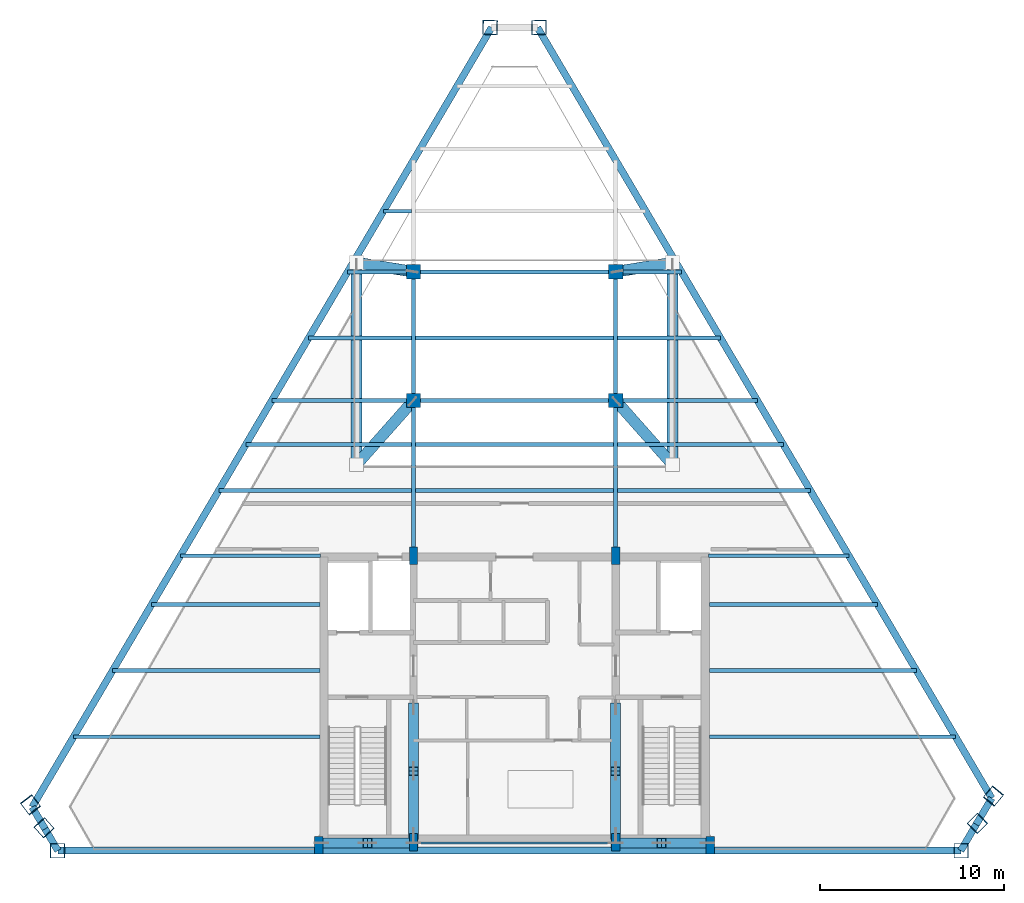
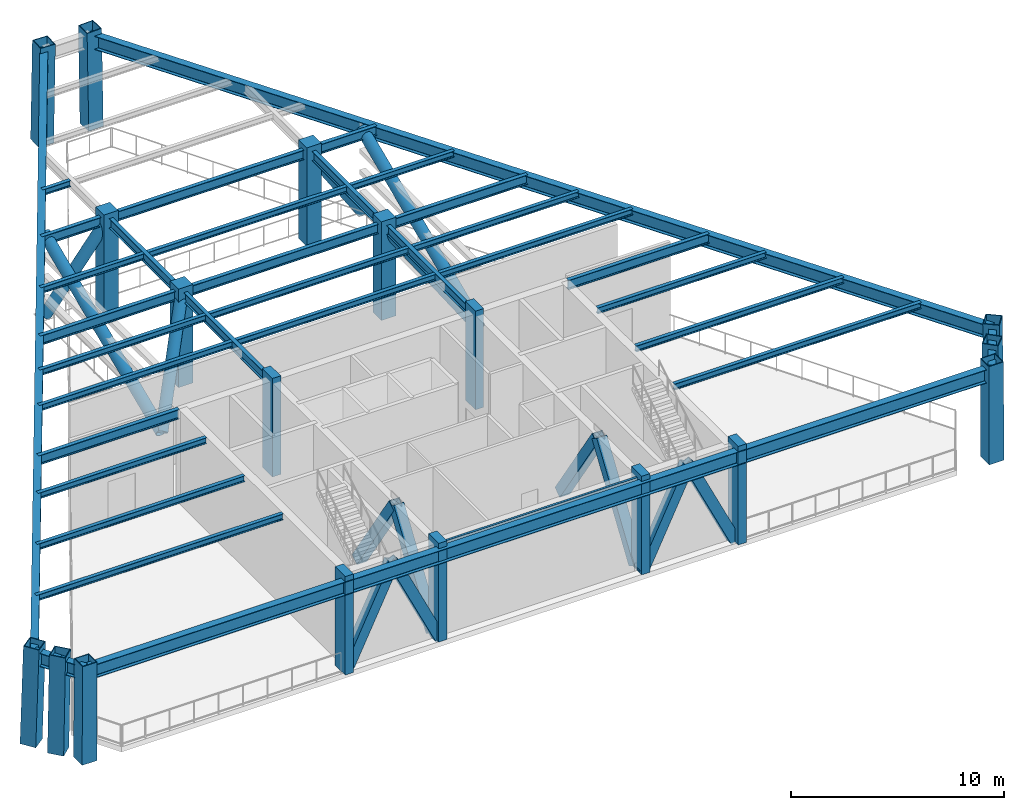
# One storey, part 1 of 6: 36 beams, 18 columns, 14 members.
"""IFC4 building model written with IfcOpenShell, lengths in metres."""

import ifcopenshell
import ifcopenshell.guid

model = None  # the IFC model being written
_history = None  # IfcOwnerHistory: only IFC2X3 demands one
_inside = {}  # id of a spatial element -> (the spatial element, [elements in it])
_under = {}  # id of a project, library or spatial element -> (it, [spatial elements below it])
_declared = {}  # id of a project -> (the project, [libraries it declares])
_typed = {}  # id of a type object -> (the type object, [elements of that type])
_made_of = {}  # id of a material, layer set ... -> (it, [elements and type objects made of it])


def new_model(schema):
    """Start an empty IFC model of exactly this schema.

    Asked for "IFC4X3", IfcOpenShell would pick the latest addendum, in which some entities
    have other attributes; the version numbers below select the first issue.
    IFC2X3 requires an IfcOwnerHistory on every rooted entity: one is made here for all.
    """
    global model, _history
    if schema == "IFC4X3":
        model = ifcopenshell.file(schema_version=(4, 3, 0, 0))
    else:
        model = ifcopenshell.file(schema=schema)
    _inside.clear()
    _under.clear()
    _declared.clear()
    _typed.clear()
    _made_of.clear()
    _history = None
    if model.schema == "IFC2X3":
        org = make("IfcOrganization", Name="unknown")
        user = make(
            "IfcPersonAndOrganization",
            ThePerson=make("IfcPerson", FamilyName="unknown"),
            TheOrganization=org,
        )
        app = make(
            "IfcApplication",
            ApplicationDeveloper=org,
            Version="unknown",
            ApplicationFullName="unknown",
            ApplicationIdentifier="unknown",
        )
        _history = make(
            "IfcOwnerHistory",
            OwningUser=user,
            OwningApplication=app,
            ChangeAction="ADDED",
            CreationDate=0,
        )
    return model


def make(cls, **values):
    """One entity of the class cls with the attributes given. An attribute that is None is left unset."""
    return model.create_entity(
        cls, **{name: value for name, value in values.items() if value is not None}
    )


def rooted(cls, **values):
    """An entity with a GlobalId (a new one), such as an element, a storey or a relation."""
    return make(cls, GlobalId=ifcopenshell.guid.new(), OwnerHistory=_history, **values)


def si_unit(unit_type, name, prefix=None):
    """IfcSIUnit, for example si_unit("LENGTHUNIT", "METRE", prefix="MILLI")."""
    return make("IfcSIUnit", UnitType=unit_type, Prefix=prefix, Name=name)


def assignment(units):
    """IfcUnitAssignment: the units of a project."""
    return None if units is None else make("IfcUnitAssignment", Units=units)


def point(xyz):
    """IfcCartesianPoint."""
    return None if xyz is None else make("IfcCartesianPoint", Coordinates=xyz)


def direction(xyz):
    """IfcDirection."""
    return None if xyz is None else make("IfcDirection", DirectionRatios=xyz)


def frame(location, z_axis=None, x_axis=None):
    """IfcAxis2Placement3D, a coordinate frame: its origin and axes. An axis left out is left unset."""
    return make(
        "IfcAxis2Placement3D",
        Location=point(location),
        Axis=direction(z_axis),
        RefDirection=direction(x_axis),
    )


def frame_2d(location, x_axis=None):
    """IfcAxis2Placement2D, a coordinate frame in the plane: its origin and x axis."""
    return make(
        "IfcAxis2Placement2D", Location=point(location), RefDirection=direction(x_axis)
    )


def origin():
    """The frame at (0, 0, 0) with its axes left unset."""
    return frame((0.0, 0.0, 0.0))


def origin_2d():
    """The frame at (0, 0) in the plane with its x axis left unset."""
    return frame_2d((0.0, 0.0))


def place(relative_to, where):
    """IfcLocalPlacement: puts the frame where relative to a parent placement (None: the world)."""
    return make(
        "IfcLocalPlacement", PlacementRelTo=relative_to, RelativePlacement=where
    )


def context(
    kind, dimensions, precision=None, world=None, true_north=None, identifier=None
):
    """IfcGeometricRepresentationContext, for example the 3D "Model" context."""
    return make(
        "IfcGeometricRepresentationContext",
        ContextIdentifier=identifier,
        ContextType=kind,
        CoordinateSpaceDimension=dimensions,
        Precision=precision,
        WorldCoordinateSystem=world,
        TrueNorth=true_north,
    )


def subcontext(parent, identifier, kind, view, scale=None):
    """IfcGeometricRepresentationSubContext, for example "Body" below "Model"."""
    return make(
        "IfcGeometricRepresentationSubContext",
        ContextIdentifier=identifier,
        ContextType=kind,
        ParentContext=parent,
        TargetScale=scale,
        TargetView=view,
    )


def project(units=None, contexts=None):
    """IfcProject with its units and contexts."""
    return rooted(
        "IfcProject",
        Name="project",
        RepresentationContexts=contexts,
        UnitsInContext=assignment(units),
    )


def spatial(cls, under=None, at=None, **own):
    """A site, building, storey or space (cls), placed at a placement, below another one or the project."""
    s = rooted(cls, ObjectPlacement=at, **own)
    if under is not None:
        _under.setdefault(under.id(), (under, []))[1].append(s)
    return s


def profile(cls, at=None, kind="AREA", **sizes):
    """A parametric profile (cls). Its sizes go by their IFC names, for example OverallWidth=200.0."""
    return make(cls, ProfileType=kind, Position=at, **sizes)


def rectangle(**sizes):
    """IfcRectangleProfileDef."""
    return profile("IfcRectangleProfileDef", **sizes)


def hollow_rectangle(**sizes):
    """IfcRectangleHollowProfileDef."""
    return profile("IfcRectangleHollowProfileDef", **sizes)


def hollow_circle(**sizes):
    """IfcCircleHollowProfileDef."""
    return profile("IfcCircleHollowProfileDef", **sizes)


def i_section(**sizes):
    """IfcIShapeProfileDef."""
    return profile("IfcIShapeProfileDef", **sizes)


def extrude(swept, where, along, depth):
    """IfcExtrudedAreaSolid: the profile swept, set in the frame where, extruded along a direction by depth."""
    return make(
        "IfcExtrudedAreaSolid",
        SweptArea=swept,
        Position=where,
        ExtrudedDirection=direction(along),
        Depth=depth,
    )


def shape(context_of_items, identifier, shape_type, items):
    """IfcShapeRepresentation: the items that make up one representation, for example the "Body"."""
    return make(
        "IfcShapeRepresentation",
        ContextOfItems=context_of_items,
        RepresentationIdentifier=identifier,
        RepresentationType=shape_type,
        Items=items,
    )


def source(mapping_origin, context_of_items, identifier, shape_type, items):
    """IfcRepresentationMap: a shape defined once, which mapped items show again and again."""
    return make(
        "IfcRepresentationMap",
        MappingOrigin=mapping_origin,
        MappedRepresentation=shape(context_of_items, identifier, shape_type, items),
    )


def transform(
    local_origin,
    x_axis=None,
    y_axis=None,
    z_axis=None,
    scale=None,
    scale2=None,
    scale3=None,
    uniform=True,
):
    """IfcCartesianTransformationOperator3D, or its non-uniform kind. x_axis, y_axis, z_axis: its Axis1, 2, 3."""
    if uniform:
        return make(
            "IfcCartesianTransformationOperator3D",
            Axis1=direction(x_axis),
            Axis2=direction(y_axis),
            LocalOrigin=point(local_origin),
            Scale=scale,
            Axis3=direction(z_axis),
        )
    return make(
        "IfcCartesianTransformationOperator3DnonUniform",
        Axis1=direction(x_axis),
        Axis2=direction(y_axis),
        LocalOrigin=point(local_origin),
        Scale=scale,
        Axis3=direction(z_axis),
        Scale2=scale2,
        Scale3=scale3,
    )


def mapped(mapping_source, mapping_target):
    """IfcMappedItem: shows the shape of a source again, moved by a transform."""
    return make(
        "IfcMappedItem", MappingSource=mapping_source, MappingTarget=mapping_target
    )


def material(Name=None, Category=None):
    """IfcMaterial."""
    return make("IfcMaterial", Name=Name, Category=Category)


def material_profile(
    of_material, cross_section, Name=None, Category=None, Priority=None
):
    """IfcMaterialProfile: a cross section and its material."""
    return make(
        "IfcMaterialProfile",
        Name=Name,
        Material=of_material,
        Profile=cross_section,
        Priority=Priority,
        Category=Category,
    )


def profile_set(profiles, Name=None, composite=None):
    """IfcMaterialProfileSet."""
    return make(
        "IfcMaterialProfileSet",
        Name=Name,
        MaterialProfiles=profiles,
        CompositeProfile=composite,
    )


def made_of(thing, what):
    """Note that an element or type object is made of a material, layer set ...; save() writes the relation."""
    if what is not None:
        _made_of.setdefault(what.id(), (what, []))[1].append(thing)
    return thing


def type_object(cls, material=None, **own):
    """A type object (cls), such as IfcWallType, which elements share."""
    return made_of(rooted(cls, **own), material)


def type_shapes(of_type, sources):
    """Give a type object the sources (RepresentationMaps) that its elements show as mapped items."""
    of_type.RepresentationMaps = sources


def element(
    cls,
    number,
    at=None,
    inside=None,
    cuts=None,
    type_object=None,
    material=None,
    context=None,
    identifier="Body",
    shape_type=None,
    held_by="IfcProductDefinitionShape",
    body=None,
    shapes=None,
    **own,
):
    """One element of the class cls, such as IfcWall. Its Tag is "e" and its number.

    at: its placement. inside: the storey or other place that contains it. cuts: it is an
    opening in that element (IfcRelVoidsElement). A single representation is given by context,
    identifier, shape_type and body (its items); several are given by shapes. held_by: the class
    of the entity that holds the representations. save() writes the other relations.
    """
    e = rooted(cls, Tag="e%d" % number, ObjectPlacement=at, **own)
    if body is not None:
        shapes = [shape(context, identifier, shape_type, body)]
    if shapes is not None:
        e.Representation = make(held_by, Representations=shapes)
    if inside is not None:
        _inside.setdefault(inside.id(), (inside, []))[1].append(e)
    if cuts is not None:
        rooted(
            "IfcRelVoidsElement", RelatingBuildingElement=cuts, RelatedOpeningElement=e
        )
    if type_object is not None:
        _typed.setdefault(type_object.id(), (type_object, []))[1].append(e)
    return made_of(e, material)


def aggregate(whole, parts):
    """IfcRelAggregates: a whole, such as a stair, and the parts it consists of."""
    return rooted("IfcRelAggregates", RelatingObject=whole, RelatedObjects=parts)


def save(model, path):
    """Write the relations noted so far, then the file.

    IfcRelAggregates (storeys below a building ...), IfcRelContainedInSpatialStructure (elements
    in a storey), IfcRelDefinesByType, IfcRelAssociatesMaterial and IfcRelDeclares: one each for
    every whole, place, type object, material and project.
    """
    for whole, parts in _under.values():
        aggregate(whole, parts)
    for where, things in _inside.values():
        rooted(
            "IfcRelContainedInSpatialStructure",
            RelatedElements=things,
            RelatingStructure=where,
        )
    for kind, things in _typed.values():
        rooted("IfcRelDefinesByType", RelatedObjects=things, RelatingType=kind)
    for what, things in _made_of.values():
        rooted("IfcRelAssociatesMaterial", RelatedObjects=things, RelatingMaterial=what)
    for by, libraries in _declared.values():
        rooted("IfcRelDeclares", RelatingContext=by, RelatedDefinitions=libraries)
    model.write(path)


model = new_model("IFC4")

# Units and contexts
model_context = context("Model", 3, precision=1e-05, world=origin(), true_north=direction((0.0, 1.0)))
body_context = subcontext(model_context, "Body", "Model", "MODEL_VIEW")
ifc_project = project(units=[si_unit("LENGTHUNIT", "METRE"), si_unit("AREAUNIT", "SQUARE_METRE"), si_unit("VOLUMEUNIT", "CUBIC_METRE"), si_unit("PLANEANGLEUNIT", "RADIAN"), si_unit("MASSUNIT", "GRAM", prefix="KILO")], contexts=[model_context])

# Site, building, storey
site_placement = place(None, origin())
site = spatial("IfcSite", under=ifc_project, at=site_placement, CompositionType="ELEMENT")
building_placement = place(site_placement, origin())
building = spatial("IfcBuilding", under=site, at=building_placement, Name="Varnakhor Terracotta Tower", CompositionType="ELEMENT")
storey_placement = place(building_placement, frame((0.0, 0.0, 304.050048828125)))
storey = spatial("IfcBuildingStorey", under=building, at=storey_placement, Name="L80", CompositionType="ELEMENT", Elevation=304.050048828125)

# Columns
ifc_material_1 = material(Name="Concrete C50/60", Category="concrete")
ifc_material_profile_1 = material_profile(ifc_material_1, rectangle(XDim=0.449951171875, YDim=0.949951171875, at=origin_2d()), Name="RC PILASTER 950x450")
ifc_profile_set_1 = profile_set([ifc_material_profile_1], Name="Concrete C50/60")
column_type_1 = type_object("IfcColumnType", Name="COL-PIL-950x450", PredefinedType="PILASTER", material=ifc_profile_set_1)
shared_shape_1 = source(origin(), body_context, "Body", "SweptSolid", [
    extrude(rectangle(XDim=0.449951171875, YDim=0.949951171875, at=origin_2d()), origin(), (0.0, 0.0, 1.0), 5.64990234375),
])
for number, where, z_axis, x_axis, name in (
    (1, (-10.64990234375, 0.300048828125, 0.0), (0.0, 0.0, 1.0), (1.0, 0.0, 0.0), "L80 Core Pilaster CP1"),
    (2, (-5.5, 0.449951171875, 0.0), (0.0, 0.0, 1.0), (1.0, 0.0, 0.0), "L80 Core Pilaster CP2"),
    (3, (5.5, 0.449951171875, 0.0), (0.0, 0.0, 1.0), (1.0, 0.0, 0.0), "L80 Core Pilaster CP3"),
    (4, (10.64990234375, 0.300048828125, 0.0), (0.0, 0.0, 1.0), (1.0, 0.0, 0.0), "L80 Core Pilaster CP4"),
    (5, (-5.5, 16.050048828125, 0.0), (0.0, 0.0, 1.0), (1.0, 0.0, 0.0), "L80 Core Pilaster CP5"),
    (6, (5.5, 16.050048828125, 0.0), (0.0, 0.0, 1.0), (1.0, 0.0, 0.0), "L80 Core Pilaster CP6"),
):
    element("IfcColumn", number, at=place(storey_placement, frame(where, z_axis=z_axis, x_axis=x_axis)), inside=storey, type_object=column_type_1, Name=name, PredefinedType="PILASTER", context=body_context, shape_type="MappedRepresentation", body=[
        mapped(shared_shape_1, transform((0.0, 0.0, 0.0), scale=1.0)),
    ])
ifc_material_2 = material(Name="Steel S355", Category="steel")
ifc_material_profile_2 = material_profile(ifc_material_2, hollow_rectangle(XDim=0.800048828125, YDim=0.800048828125, WallThickness=0.0400390625, at=origin_2d()), Name="BOX 800x800x40")
ifc_profile_set_2 = profile_set([ifc_material_profile_2], Name="Steel S355")
column_type_2 = type_object("IfcColumnType", Name="COL-MEGA-800", PredefinedType="COLUMN", material=ifc_profile_set_2)
shared_shape_2 = source(origin(), body_context, "Body", "SweptSolid", [
    extrude(hollow_rectangle(XDim=0.800048828125, YDim=0.800048828125, WallThickness=0.0400390625, at=origin_2d()), origin(), (0.0, 0.0, 1.0), 5.64111328125),
])
for number, where, z_axis, x_axis, name in (
    (7, (-24.865478515625, 0.0, 0.00439453125), (0.003202614927, 0.0, 0.999994871616), (0.0, 1.0, 0.0), "L80 Perimeter Mega-Column M1"),
    (8, (24.302734375, 0.0, 0.00439453125), (-0.004241284453, 0.0, 0.999991005713), (0.0, -1.0, 0.0), "L80 Perimeter Mega-Column M2"),
):
    element("IfcColumn", number, at=place(storey_placement, frame(where, z_axis=z_axis, x_axis=x_axis)), inside=storey, type_object=column_type_2, Name=name, PredefinedType="COLUMN", context=body_context, shape_type="MappedRepresentation", body=[
        mapped(shared_shape_2, transform((0.0, 0.0, 0.0), scale=1.0)),
    ])
shared_shape_3 = source(origin(), body_context, "Body", "SweptSolid", [
    extrude(hollow_rectangle(XDim=0.800048828125, YDim=0.800048828125, WallThickness=0.0400390625, at=origin_2d()), origin(), (0.0, 0.0, 1.0), 5.641845703125),
])
for number, where, z_axis, x_axis, name in (
    (9, (25.185791015625, 1.492919921875, 0.00439453125), (-0.011597176246, -0.011467357108, 0.999866993767), (0.703115680726, -0.711075480886, 0.0), "L80 Perimeter Mega-Column M3"),
    (10, (1.3408203125, 44.791748046875, 0.00439453125), (-0.016227412798, -0.000346184806, 0.999868266938), (0.021328480471, -0.999772522087, 0.0), "L80 Perimeter Mega-Column M5"),
    (11, (-1.3408203125, 44.791748046875, 0.00439453125), (0.016227412798, -0.000346184806, 0.999868266938), (0.021328480471, 0.999772522087, 0.0), "L80 Perimeter Mega-Column M6"),
    (12, (-25.607666015625, 1.2548828125, 0.00439453125), (0.010775016262, -0.012029937834, 0.999869581306), (0.744890819266, 0.667186381285, 0.0), "L80 Perimeter Mega-Column M8"),
):
    element("IfcColumn", number, at=place(storey_placement, frame(where, z_axis=z_axis, x_axis=x_axis)), inside=storey, type_object=column_type_2, Name=name, PredefinedType="COLUMN", context=body_context, shape_type="MappedRepresentation", body=[
        mapped(shared_shape_3, transform((0.0, 0.0, 0.0), scale=1.0)),
    ])
shared_shape_4 = source(origin(), body_context, "Body", "SweptSolid", [
    extrude(hollow_rectangle(XDim=0.800048828125, YDim=0.800048828125, WallThickness=0.0400390625, at=origin_2d()), origin(), (0.0, 0.0, 1.0), 5.6435546875),
])
column_1_placement = place(storey_placement, frame((26.068603515625, 2.985595703125, 0.00439453125), z_axis=(-0.01886125851, -0.022884416861, 0.999560181476), x_axis=(0.77167752557, -0.636013990829, 0.0)))
element("IfcColumn", 13, at=column_1_placement, inside=storey, type_object=column_type_2, Name="L80 Perimeter Mega-Column M4", PredefinedType="COLUMN", context=body_context, shape_type="MappedRepresentation", body=[
    mapped(shared_shape_4, transform((0.0, 0.0, 0.0), scale=1.0)),
])
shared_shape_5 = source(origin(), body_context, "Body", "SweptSolid", [
    extrude(hollow_rectangle(XDim=0.800048828125, YDim=0.800048828125, WallThickness=0.0400390625, at=origin_2d()), origin(), (0.0, 0.0, 1.0), 5.643798828125),
])
column_2_placement = place(storey_placement, frame((-26.35009765625, 2.510009765625, 0.00439453125), z_axis=(0.018385040896, -0.024095218303, 0.999540599839), x_axis=(0.795005586409, 0.606602108122, 0.0)))
element("IfcColumn", 14, at=column_2_placement, inside=storey, type_object=column_type_2, Name="L80 Perimeter Mega-Column M7", PredefinedType="COLUMN", context=body_context, shape_type="MappedRepresentation", body=[
    mapped(shared_shape_5, transform((0.0, 0.0, 0.0), scale=1.0)),
])
ifc_material_profile_3 = material_profile(ifc_material_1, rectangle(XDim=0.780029296875, YDim=0.780029296875, at=origin_2d()), Name="RC 780x780")
ifc_profile_set_3 = profile_set([ifc_material_profile_3], Name="Concrete C50/60")
column_type_3 = type_object("IfcColumnType", Name="COL-RC-780", PredefinedType="COLUMN", material=ifc_profile_set_3)
shared_shape_6 = source(origin(), body_context, "Body", "SweptSolid", [
    extrude(rectangle(XDim=0.780029296875, YDim=0.780029296875, at=origin_2d()), origin(), (0.0, 0.0, 1.0), 5.64990234375),
])
for number, where, z_axis, x_axis, name in (
    (15, (-5.5, 24.5, 0.0), (0.0, 0.0, 1.0), (1.0, 0.0, 0.0), "L80 Interior Tower Column IC1"),
    (16, (5.5, 24.5, 0.0), (0.0, 0.0, 1.0), (1.0, 0.0, 0.0), "L80 Interior Tower Column IC2"),
    (17, (-5.5, 31.5, 0.0), (0.0, 0.0, 1.0), (1.0, 0.0, 0.0), "L80 Interior Tower Column IC3"),
    (18, (5.5, 31.5, 0.0), (0.0, 0.0, 1.0), (1.0, 0.0, 0.0), "L80 Interior Tower Column IC4"),
):
    element("IfcColumn", number, at=place(storey_placement, frame(where, z_axis=z_axis, x_axis=x_axis)), inside=storey, type_object=column_type_3, Name=name, PredefinedType="COLUMN", context=body_context, shape_type="MappedRepresentation", body=[
        mapped(shared_shape_6, transform((0.0, 0.0, 0.0), scale=1.0)),
    ])

# Beams
ifc_material_profile_4 = material_profile(ifc_material_2, i_section(OverallWidth=0.1201171875, OverallDepth=0.239990234375, WebThickness=0.006103515625, FlangeThickness=0.009765625, FilletRadius=0.01806640625, at=origin_2d()), Name="IPE240")
ifc_profile_set_4 = profile_set([ifc_material_profile_4], Name="Steel S355")
beam_type_1 = type_object("IfcBeamType", Name="LNT-IPE240", PredefinedType="LINTEL", material=ifc_profile_set_4)
shared_shape_7 = source(origin(), body_context, "Body", "SweptSolid", [
    extrude(i_section(OverallWidth=0.1201171875, OverallDepth=0.239990234375, WebThickness=0.006103515625, FlangeThickness=0.009765625, FilletRadius=0.01806640625, at=origin_2d()), origin(), (0.0, 0.0, 1.0), 11.0),
])
type_shapes(beam_type_1, [shared_shape_7])
beam_1_placement = place(storey_placement, frame((-5.5, 0.419921875, 5.22998046875), z_axis=(1.0, 0.0, 0.0), x_axis=(0.0, 1.0, 0.0)))
element("IfcBeam", 19, at=beam_1_placement, inside=storey, type_object=beam_type_1, Name="L80 Core South Coupling Lintel", PredefinedType="LINTEL", context=body_context, shape_type="MappedRepresentation", body=[
    mapped(shared_shape_7, transform((0.0, 0.0, 0.0), scale=1.0)),
])
ifc_material_profile_5 = material_profile(ifc_material_2, i_section(OverallWidth=0.214111328125, OverallDepth=0.549072265625, WebThickness=0.014892578125, FlangeThickness=0.02392578125, FilletRadius=0.01806640625, at=origin_2d()), Name="W21X93")
ifc_profile_set_5 = profile_set([ifc_material_profile_5], Name="Steel S355")
beam_type_2 = type_object("IfcBeamType", Name="BM-W21X93", PredefinedType="BEAM", material=ifc_profile_set_5)
shared_shape_8 = source(origin(), body_context, "Body", "SweptSolid", [
    extrude(i_section(OverallWidth=0.214111328125, OverallDepth=0.549072265625, WebThickness=0.014892578125, FlangeThickness=0.02392578125, FilletRadius=0.01806640625, at=origin_2d()), origin(), (0.0, 0.0, 1.0), 8.449951171875),
])
type_shapes(beam_type_2, [shared_shape_8])
for number, where, z_axis, x_axis, name in (
    (20, (-5.5, 16.050048828125, 5.075439453125), (0.0, 1.0, 0.0), (-1.0, 0.0, 0.0), "L80 Primary Girder NS1-W"),
    (21, (5.5, 16.050048828125, 5.075439453125), (0.0, 1.0, 0.0), (-1.0, 0.0, 0.0), "L80 Primary Girder NS1-E"),
):
    element("IfcBeam", number, at=place(storey_placement, frame(where, z_axis=z_axis, x_axis=x_axis)), inside=storey, type_object=beam_type_2, Name=name, PredefinedType="BEAM", context=body_context, shape_type="MappedRepresentation", body=[
        mapped(shared_shape_8, transform((0.0, 0.0, 0.0), scale=1.0)),
    ])
shared_shape_9 = source(origin(), body_context, "Body", "SweptSolid", [
    extrude(i_section(OverallWidth=0.214111328125, OverallDepth=0.549072265625, WebThickness=0.014892578125, FlangeThickness=0.02392578125, FilletRadius=0.01806640625, at=origin_2d()), origin(), (0.0, 0.0, 1.0), 7.0),
])
for number, where, z_axis, x_axis, name in (
    (22, (-5.5, 24.5, 5.075439453125), (0.0, 1.0, 0.0), (-1.0, 0.0, 0.0), "L80 Primary Girder NS2-W"),
    (23, (5.5, 24.5, 5.075439453125), (0.0, 1.0, 0.0), (-1.0, 0.0, 0.0), "L80 Primary Girder NS2-E"),
):
    element("IfcBeam", number, at=place(storey_placement, frame(where, z_axis=z_axis, x_axis=x_axis)), inside=storey, type_object=beam_type_2, Name=name, PredefinedType="BEAM", context=body_context, shape_type="MappedRepresentation", body=[
        mapped(shared_shape_9, transform((0.0, 0.0, 0.0), scale=1.0)),
    ])
shared_shape_10 = source(origin(), body_context, "Body", "SweptSolid", [
    extrude(i_section(OverallWidth=0.214111328125, OverallDepth=0.549072265625, WebThickness=0.014892578125, FlangeThickness=0.02392578125, FilletRadius=0.01806640625, at=origin_2d()), origin(), (0.0, 0.0, 1.0), 11.0),
])
for number, where, z_axis, x_axis, name in (
    (24, (-5.5, 24.5, 5.075439453125), (1.0, 0.0, 0.0), (0.0, 1.0, 0.0), "L80 Primary Girder EW2-2"),
    (25, (-5.5, 31.5, 5.075439453125), (1.0, 0.0, 0.0), (0.0, 1.0, 0.0), "L80 Primary Girder EW3-2"),
):
    element("IfcBeam", number, at=place(storey_placement, frame(where, z_axis=z_axis, x_axis=x_axis)), inside=storey, type_object=beam_type_2, Name=name, PredefinedType="BEAM", context=body_context, shape_type="MappedRepresentation", body=[
        mapped(shared_shape_10, transform((0.0, 0.0, 0.0), scale=1.0)),
    ])
ifc_material_profile_6 = material_profile(ifc_material_2, i_section(OverallWidth=0.202880859375, OverallDepth=0.346923828125, WebThickness=0.0078125, FlangeThickness=0.013427734375, FilletRadius=0.01806640625, at=origin_2d()), Name="W14X43")
ifc_profile_set_6 = profile_set([ifc_material_profile_6], Name="Steel S355")
beam_type_3 = type_object("IfcBeamType", Name="JST-W14X43", PredefinedType="JOIST", material=ifc_profile_set_6)
shared_shape_11 = source(origin(), body_context, "Body", "SweptSolid", [
    extrude(i_section(OverallWidth=0.202880859375, OverallDepth=0.346923828125, WebThickness=0.0078125, FlangeThickness=0.013427734375, FilletRadius=0.01806640625, at=origin_2d()), origin(), (0.0, 0.0, 1.0), 10.7939453125),
])
for number, where, z_axis, x_axis, name in (
    (26, (-5.39697265625, 19.60009765625, 5.176513671875), (1.0, 0.0, 0.0), (0.0, 1.0, 0.0), "L80 Composite Floor Joist 4-2"),
    (27, (-5.39697265625, 22.10009765625, 5.176513671875), (1.0, 0.0, 0.0), (0.0, 1.0, 0.0), "L80 Composite Floor Joist 5-2"),
    (28, (-5.39697265625, 27.89990234375, 5.176513671875), (1.0, 0.0, 0.0), (0.0, 1.0, 0.0), "L80 Composite Floor Joist 6-2"),
):
    element("IfcBeam", number, at=place(storey_placement, frame(where, z_axis=z_axis, x_axis=x_axis)), inside=storey, type_object=beam_type_3, Name=name, PredefinedType="JOIST", context=body_context, shape_type="MappedRepresentation", body=[
        mapped(shared_shape_11, transform((0.0, 0.0, 0.0), scale=1.0)),
    ])
ifc_material_profile_7 = material_profile(ifc_material_2, i_section(OverallWidth=0.381103515625, OverallDepth=0.77294921875, WebThickness=0.01708984375, FlangeThickness=0.027099609375, FilletRadius=0.01806640625, at=origin_2d()), Name="W30X173")
ifc_profile_set_7 = profile_set([ifc_material_profile_7], Name="Steel S355")
beam_type_4 = type_object("IfcBeamType", Name="BM-W30X173", PredefinedType="BEAM", material=ifc_profile_set_7)
shared_shape_12 = source(origin(), body_context, "Body", "SweptSolid", [
    extrude(i_section(OverallWidth=0.381103515625, OverallDepth=0.77294921875, WebThickness=0.01708984375, FlangeThickness=0.027099609375, FilletRadius=0.01806640625, at=origin_2d()), origin(), (0.0, 0.0, 1.0), 49.126220703125),
])
beam_2_placement = place(storey_placement, frame((-24.847412109375, 0.0, 4.96337890625), z_axis=(1.0, 0.0, 0.0), x_axis=(0.0, 1.0, 0.0)))
element("IfcBeam", 29, at=beam_2_placement, inside=storey, type_object=beam_type_4, Name="L80 Perimeter Spandrel 1", PredefinedType="BEAM", context=body_context, shape_type="MappedRepresentation", body=[
    mapped(shared_shape_12, transform((0.0, 0.0, 0.0), scale=1.0)),
])
shared_shape_13 = source(origin(), body_context, "Body", "SweptSolid", [
    extrude(i_section(OverallWidth=0.381103515625, OverallDepth=0.77294921875, WebThickness=0.01708984375, FlangeThickness=0.027099609375, FilletRadius=0.01806640625, at=origin_2d()), origin(), (0.0, 0.0, 1.0), 1.65771484375),
])
beam_3_placement = place(storey_placement, frame((24.27880859375, 0.0, 4.96337890625), z_axis=(0.507657170401, 0.861559166477, 0.0), x_axis=(-0.861559166477, 0.507657170401, 0.0)))
element("IfcBeam", 30, at=beam_3_placement, inside=storey, type_object=beam_type_4, Name="L80 Perimeter Spandrel 2", PredefinedType="BEAM", context=body_context, shape_type="MappedRepresentation", body=[
    mapped(shared_shape_13, transform((0.0, 0.0, 0.0), scale=1.0)),
])
shared_shape_14 = source(origin(), body_context, "Body", "SweptSolid", [
    extrude(i_section(OverallWidth=0.381103515625, OverallDepth=0.77294921875, WebThickness=0.01708984375, FlangeThickness=0.027099609375, FilletRadius=0.01806640625, at=origin_2d()), origin(), (0.0, 0.0, 1.0), 1.657958984375),
])
beam_4_placement = place(storey_placement, frame((25.120361328125, 1.42822265625, 4.96337890625), z_axis=(0.507766478099, 0.861494749676, 0.0), x_axis=(-0.861494749676, 0.507766478099, 0.0)))
element("IfcBeam", 31, at=beam_4_placement, inside=storey, type_object=beam_type_4, Name="L80 Perimeter Spandrel 3", PredefinedType="BEAM", context=body_context, shape_type="MappedRepresentation", body=[
    mapped(shared_shape_14, transform((0.0, 0.0, 0.0), scale=1.0)),
])
shared_shape_15 = source(origin(), body_context, "Body", "SweptSolid", [
    extrude(i_section(OverallWidth=0.381103515625, OverallDepth=0.77294921875, WebThickness=0.01708984375, FlangeThickness=0.027099609375, FilletRadius=0.01806640625, at=origin_2d()), origin(), (0.0, 0.0, 1.0), 48.673828125),
])
beam_5_placement = place(storey_placement, frame((25.962158203125, 2.8564453125, 4.96337890625), z_axis=(-0.50772534907, 0.861518989873, 0.0), x_axis=(-0.861518989873, -0.50772534907, 0.0)))
element("IfcBeam", 32, at=beam_5_placement, inside=storey, type_object=beam_type_4, Name="L80 Perimeter Spandrel 4", PredefinedType="BEAM", context=body_context, shape_type="MappedRepresentation", body=[
    mapped(shared_shape_15, transform((0.0, 0.0, 0.0), scale=1.0)),
])
shared_shape_16 = source(origin(), body_context, "Body", "SweptSolid", [
    extrude(i_section(OverallWidth=0.381103515625, OverallDepth=0.77294921875, WebThickness=0.01708984375, FlangeThickness=0.027099609375, FilletRadius=0.01806640625, at=origin_2d()), origin(), (0.0, 0.0, 1.0), 49.233642578125),
])
beam_6_placement = place(storey_placement, frame((-1.249267578125, 44.789794921875, 4.96337890625), z_axis=(-0.507723395919, -0.861520140935, 0.0), x_axis=(0.861520140935, -0.507723395919, 0.0)))
element("IfcBeam", 33, at=beam_6_placement, inside=storey, type_object=beam_type_4, Name="L80 Perimeter Spandrel 6", PredefinedType="BEAM", context=body_context, shape_type="MappedRepresentation", body=[
    mapped(shared_shape_16, transform((0.0, 0.0, 0.0), scale=1.0)),
])
shared_shape_17 = source(origin(), body_context, "Body", "SweptSolid", [
    extrude(i_section(OverallWidth=0.381103515625, OverallDepth=0.77294921875, WebThickness=0.01708984375, FlangeThickness=0.027099609375, FilletRadius=0.01806640625, at=origin_2d()), origin(), (0.0, 0.0, 1.0), 1.377685546875),
])
for number, where, z_axis, x_axis, name in (
    (34, (-26.246337890625, 2.3740234375, 4.96337890625), (0.5076782155, -0.861546765711, 0.0), (0.861546765711, 0.5076782155, 0.0), "L80 Perimeter Spandrel 7"),
    (35, (-25.546875, 1.18701171875, 4.96337890625), (0.5076782155, -0.861546765711, 0.0), (0.861546765711, 0.5076782155, 0.0), "L80 Perimeter Spandrel 8"),
):
    element("IfcBeam", number, at=place(storey_placement, frame(where, z_axis=z_axis, x_axis=x_axis)), inside=storey, type_object=beam_type_4, Name=name, PredefinedType="BEAM", context=body_context, shape_type="MappedRepresentation", body=[
        mapped(shared_shape_17, transform((0.0, 0.0, 0.0), scale=1.0)),
    ])
shared_shape_18 = source(origin(), body_context, "Body", "SweptSolid", [
    extrude(i_section(OverallWidth=0.214111328125, OverallDepth=0.549072265625, WebThickness=0.014892578125, FlangeThickness=0.02392578125, FilletRadius=0.01806640625, at=origin_2d()), origin(), (0.0, 0.0, 1.0), 7.636474609375),
])
for number, where, z_axis, x_axis, name in (
    (36, (-18.1865234375, 16.050048828125, 5.075439453125), (1.0, 0.0, 0.0), (0.0, 1.0, 0.0), "L80 Wing Girder W"),
    (37, (10.550048828125, 16.050048828125, 5.075439453125), (1.0, 0.0, 0.0), (0.0, 1.0, 0.0), "L80 Wing Girder E"),
):
    element("IfcBeam", number, at=place(storey_placement, frame(where, z_axis=z_axis, x_axis=x_axis)), inside=storey, type_object=beam_type_2, Name=name, PredefinedType="BEAM", context=body_context, shape_type="MappedRepresentation", body=[
        mapped(shared_shape_18, transform((0.0, 0.0, 0.0), scale=1.0)),
    ])
shared_shape_19 = source(origin(), body_context, "Body", "SweptSolid", [
    extrude(i_section(OverallWidth=0.214111328125, OverallDepth=0.549072265625, WebThickness=0.014892578125, FlangeThickness=0.02392578125, FilletRadius=0.01806640625, at=origin_2d()), origin(), (0.0, 0.0, 1.0), 7.706787109375),
])
for number, where, z_axis, x_axis, name in (
    (38, (-13.206787109375, 24.5, 5.075439453125), (1.0, 0.0, 0.0), (0.0, 1.0, 0.0), "L80 Primary Girder EW2-1"),
    (39, (5.5, 24.5, 5.075439453125), (1.0, 0.0, 0.0), (0.0, 1.0, 0.0), "L80 Primary Girder EW2-3"),
):
    element("IfcBeam", number, at=place(storey_placement, frame(where, z_axis=z_axis, x_axis=x_axis)), inside=storey, type_object=beam_type_2, Name=name, PredefinedType="BEAM", context=body_context, shape_type="MappedRepresentation", body=[
        mapped(shared_shape_19, transform((0.0, 0.0, 0.0), scale=1.0)),
    ])
shared_shape_20 = source(origin(), body_context, "Body", "SweptSolid", [
    extrude(i_section(OverallWidth=0.214111328125, OverallDepth=0.549072265625, WebThickness=0.014892578125, FlangeThickness=0.02392578125, FilletRadius=0.01806640625, at=origin_2d()), origin(), (0.0, 0.0, 1.0), 3.581298828125),
])
for number, where, z_axis, x_axis, name in (
    (40, (-9.081298828125, 31.5, 5.075439453125), (1.0, 0.0, 0.0), (0.0, 1.0, 0.0), "L80 Primary Girder EW3-1"),
    (41, (5.5, 31.5, 5.075439453125), (1.0, 0.0, 0.0), (0.0, 1.0, 0.0), "L80 Primary Girder EW3-3"),
):
    element("IfcBeam", number, at=place(storey_placement, frame(where, z_axis=z_axis, x_axis=x_axis)), inside=storey, type_object=beam_type_2, Name=name, PredefinedType="BEAM", context=body_context, shape_type="MappedRepresentation", body=[
        mapped(shared_shape_20, transform((0.0, 0.0, 0.0), scale=1.0)),
    ])
shared_shape_21 = source(origin(), body_context, "Body", "SweptSolid", [
    extrude(i_section(OverallWidth=0.202880859375, OverallDepth=0.346923828125, WebThickness=0.0078125, FlangeThickness=0.013427734375, FilletRadius=0.01806640625, at=origin_2d()), origin(), (0.0, 0.0, 1.0), 13.3916015625),
])
for number, where, z_axis, x_axis, name in (
    (42, (-23.99169921875, 6.199951171875, 5.176513671875), (1.0, 0.0, 0.0), (0.0, 1.0, 0.0), "L80 Floor Joist W1"),
    (43, (10.60009765625, 6.199951171875, 5.176513671875), (1.0, 0.0, 0.0), (0.0, 1.0, 0.0), "L80 Floor Joist E1"),
):
    element("IfcBeam", number, at=place(storey_placement, frame(where, z_axis=z_axis, x_axis=x_axis)), inside=storey, type_object=beam_type_3, Name=name, PredefinedType="JOIST", context=body_context, shape_type="MappedRepresentation", body=[
        mapped(shared_shape_21, transform((0.0, 0.0, 0.0), scale=1.0)),
    ])
shared_shape_22 = source(origin(), body_context, "Body", "SweptSolid", [
    extrude(i_section(OverallWidth=0.202880859375, OverallDepth=0.346923828125, WebThickness=0.0078125, FlangeThickness=0.013427734375, FilletRadius=0.01806640625, at=origin_2d()), origin(), (0.0, 0.0, 1.0), 11.27001953125),
])
for number, where, z_axis, x_axis, name in (
    (44, (-21.8701171875, 9.800048828125, 5.176513671875), (1.0, 0.0, 0.0), (0.0, 1.0, 0.0), "L80 Floor Joist W2"),
    (45, (10.60009765625, 9.800048828125, 5.176513671875), (1.0, 0.0, 0.0), (0.0, 1.0, 0.0), "L80 Floor Joist E2"),
):
    element("IfcBeam", number, at=place(storey_placement, frame(where, z_axis=z_axis, x_axis=x_axis)), inside=storey, type_object=beam_type_3, Name=name, PredefinedType="JOIST", context=body_context, shape_type="MappedRepresentation", body=[
        mapped(shared_shape_22, transform((0.0, 0.0, 0.0), scale=1.0)),
    ])
shared_shape_23 = source(origin(), body_context, "Body", "SweptSolid", [
    extrude(i_section(OverallWidth=0.202880859375, OverallDepth=0.346923828125, WebThickness=0.0078125, FlangeThickness=0.013427734375, FilletRadius=0.01806640625, at=origin_2d()), origin(), (0.0, 0.0, 1.0), 9.148193359375),
])
for number, where, z_axis, x_axis, name in (
    (46, (-19.748291015625, 13.39990234375, 5.176513671875), (1.0, 0.0, 0.0), (0.0, 1.0, 0.0), "L80 Floor Joist W3"),
    (47, (10.60009765625, 13.39990234375, 5.176513671875), (1.0, 0.0, 0.0), (0.0, 1.0, 0.0), "L80 Floor Joist E3"),
):
    element("IfcBeam", number, at=place(storey_placement, frame(where, z_axis=z_axis, x_axis=x_axis)), inside=storey, type_object=beam_type_3, Name=name, PredefinedType="JOIST", context=body_context, shape_type="MappedRepresentation", body=[
        mapped(shared_shape_23, transform((0.0, 0.0, 0.0), scale=1.0)),
    ])
shared_shape_24 = source(origin(), body_context, "Body", "SweptSolid", [
    extrude(i_section(OverallWidth=0.202880859375, OverallDepth=0.346923828125, WebThickness=0.0078125, FlangeThickness=0.013427734375, FilletRadius=0.01806640625, at=origin_2d()), origin(), (0.0, 0.0, 1.0), 10.491455078125),
])
for number, where, z_axis, x_axis, name in (
    (48, (-16.094482421875, 19.60009765625, 5.176513671875), (1.0, 0.0, 0.0), (0.0, 1.0, 0.0), "L80 Composite Floor Joist 4-1"),
    (49, (5.60302734375, 19.60009765625, 5.176513671875), (1.0, 0.0, 0.0), (0.0, 1.0, 0.0), "L80 Composite Floor Joist 4-3"),
):
    element("IfcBeam", number, at=place(storey_placement, frame(where, z_axis=z_axis, x_axis=x_axis)), inside=storey, type_object=beam_type_3, Name=name, PredefinedType="JOIST", context=body_context, shape_type="MappedRepresentation", body=[
        mapped(shared_shape_24, transform((0.0, 0.0, 0.0), scale=1.0)),
    ])
shared_shape_25 = source(origin(), body_context, "Body", "SweptSolid", [
    extrude(i_section(OverallWidth=0.202880859375, OverallDepth=0.346923828125, WebThickness=0.0078125, FlangeThickness=0.013427734375, FilletRadius=0.01806640625, at=origin_2d()), origin(), (0.0, 0.0, 1.0), 9.01806640625),
])
for number, where, z_axis, x_axis, name in (
    (50, (-14.62109375, 22.10009765625, 5.176513671875), (1.0, 0.0, 0.0), (0.0, 1.0, 0.0), "L80 Composite Floor Joist 5-1"),
    (51, (5.60302734375, 22.10009765625, 5.176513671875), (1.0, 0.0, 0.0), (0.0, 1.0, 0.0), "L80 Composite Floor Joist 5-3"),
):
    element("IfcBeam", number, at=place(storey_placement, frame(where, z_axis=z_axis, x_axis=x_axis)), inside=storey, type_object=beam_type_3, Name=name, PredefinedType="JOIST", context=body_context, shape_type="MappedRepresentation", body=[
        mapped(shared_shape_25, transform((0.0, 0.0, 0.0), scale=1.0)),
    ])
shared_shape_26 = source(origin(), body_context, "Body", "SweptSolid", [
    extrude(i_section(OverallWidth=0.202880859375, OverallDepth=0.346923828125, WebThickness=0.0078125, FlangeThickness=0.013427734375, FilletRadius=0.01806640625, at=origin_2d()), origin(), (0.0, 0.0, 1.0), 5.599853515625),
])
for number, where, z_axis, x_axis, name in (
    (52, (-11.202880859375, 27.89990234375, 5.176513671875), (1.0, 0.0, 0.0), (0.0, 1.0, 0.0), "L80 Composite Floor Joist 6-1"),
    (53, (5.60302734375, 27.89990234375, 5.176513671875), (1.0, 0.0, 0.0), (0.0, 1.0, 0.0), "L80 Composite Floor Joist 6-3"),
):
    element("IfcBeam", number, at=place(storey_placement, frame(where, z_axis=z_axis, x_axis=x_axis)), inside=storey, type_object=beam_type_3, Name=name, PredefinedType="JOIST", context=body_context, shape_type="MappedRepresentation", body=[
        mapped(shared_shape_26, transform((0.0, 0.0, 0.0), scale=1.0)),
    ])
shared_shape_27 = source(origin(), body_context, "Body", "SweptSolid", [
    extrude(i_section(OverallWidth=0.202880859375, OverallDepth=0.346923828125, WebThickness=0.0078125, FlangeThickness=0.013427734375, FilletRadius=0.01806640625, at=origin_2d()), origin(), (0.0, 0.0, 1.0), 1.533447265625),
])
beam_7_placement = place(storey_placement, frame((-7.136474609375, 34.800048828125, 5.176513671875), z_axis=(1.0, 0.0, 0.0), x_axis=(0.0, 1.0, 0.0)))
element("IfcBeam", 54, at=beam_7_placement, inside=storey, type_object=beam_type_3, Name="L80 Composite Floor Joist 7-1", PredefinedType="JOIST", context=body_context, shape_type="MappedRepresentation", body=[
    mapped(shared_shape_27, transform((0.0, 0.0, 0.0), scale=1.0)),
])

# Members
ifc_material_profile_8 = material_profile(ifc_material_2, hollow_rectangle(XDim=0.550048828125, YDim=0.550048828125, WallThickness=0.034912109375, at=origin_2d()), Name="HSS550X550X35")
ifc_profile_set_8 = profile_set([ifc_material_profile_8], Name="Steel S355")
member_type_1 = type_object("IfcMemberType", Name="MBR-MEGA-550", PredefinedType="BRACE", material=ifc_profile_set_8)
shared_shape_28 = source(origin(), body_context, "Body", "SweptSolid", [
    extrude(hollow_rectangle(XDim=0.550048828125, YDim=0.550048828125, WallThickness=0.034912109375, at=origin_2d()), origin(), (0.0, 0.0, 1.0), 5.769775390625),
])
for number, where, z_axis, x_axis, name in (
    (55, (-10.5, 0.419921875, 0.0), (0.433297739671, 0.0, 0.90125083567), (0.0, 1.0, 0.0), "L80 Core Coupled Brace CSWA"),
    (56, (-5.5, 0.419921875, 0.0), (-0.433297739671, 0.0, 0.90125083567), (0.0, -1.0, 0.0), "L80 Core Coupled Brace CSWB"),
    (57, (5.5, 0.419921875, 0.0), (0.433297739671, 0.0, 0.90125083567), (0.0, 1.0, 0.0), "L80 Core Coupled Brace CSEA"),
    (58, (10.5, 0.419921875, 0.0), (-0.433297739671, 0.0, 0.90125083567), (0.0, -1.0, 0.0), "L80 Core Coupled Brace CSEB"),
):
    element("IfcMember", number, at=place(storey_placement, frame(where, z_axis=z_axis, x_axis=x_axis)), inside=storey, type_object=member_type_1, Name=name, PredefinedType="BRACE", context=body_context, shape_type="MappedRepresentation", body=[
        mapped(shared_shape_28, transform((0.0, 0.0, 0.0), scale=1.0)),
    ])
shared_shape_29 = source(origin(), body_context, "Body", "SweptSolid", [
    extrude(hollow_rectangle(XDim=0.550048828125, YDim=0.550048828125, WallThickness=0.034912109375, at=origin_2d()), origin(), (0.0, 0.0, 1.0), 6.254150390625),
])
for number, where, z_axis, x_axis, name in (
    (59, (-5.5, 0.85009765625, 0.0), (0.0, 0.555609720577, 0.831443226204), (-1.0, 0.0, 0.0), "L80 Core Coupled Brace CWWA"),
    (60, (-5.5, 7.800048828125, 0.0), (0.0, -0.555636705703, 0.831425192832), (1.0, 0.0, 0.0), "L80 Core Coupled Brace CWWB"),
    (61, (5.5, 0.85009765625, 0.0), (0.0, 0.555609720577, 0.831443226204), (-1.0, 0.0, 0.0), "L80 Core Coupled Brace CWEA"),
    (62, (5.5, 7.800048828125, 0.0), (0.0, -0.555636705703, 0.831425192832), (1.0, 0.0, 0.0), "L80 Core Coupled Brace CWEB"),
):
    element("IfcMember", number, at=place(storey_placement, frame(where, z_axis=z_axis, x_axis=x_axis)), inside=storey, type_object=member_type_1, Name=name, PredefinedType="BRACE", context=body_context, shape_type="MappedRepresentation", body=[
        mapped(shared_shape_29, transform((0.0, 0.0, 0.0), scale=1.0)),
    ])
ifc_material_3 = material(Name="Steel S460", Category="steel")
ifc_material_profile_9 = material_profile(ifc_material_3, hollow_circle(Radius=0.304931640625, WallThickness=0.031982421875, at=origin_2d()), Name="CHS610X32")
ifc_profile_set_9 = profile_set([ifc_material_profile_9], Name="Steel S460")
member_type_2 = type_object("IfcMemberType", Name="MBR-TURB-CHS610", PredefinedType="STRUT", material=ifc_profile_set_9)
shared_shape_30 = source(origin(), body_context, "Body", "SweptSolid", [
    extrude(hollow_circle(Radius=0.304931640625, WallThickness=0.031982421875, at=origin_2d()), origin(), (0.0, 0.0, 1.0), 6.62939453125),
])
type_shapes(member_type_2, [shared_shape_30])
for number, where, z_axis, x_axis, name in (
    (63, (-8.60009765625, 21.0, 0.300048828125), (0.467622297433, 0.527944027091, 0.708946042518), (-0.748577813191, 0.663046949769, 0.0), "L80 Wind-Turbine Portal Strut 1"),
    (64, (8.60009765625, 21.0, 0.300048828125), (-0.467622297433, 0.527944027091, 0.708946042518), (-0.748577813191, -0.663046949769, 0.0), "L80 Wind-Turbine Portal Strut 2"),
):
    element("IfcMember", number, at=place(storey_placement, frame(where, z_axis=z_axis, x_axis=x_axis)), inside=storey, type_object=member_type_2, Name=name, PredefinedType="STRUT", context=body_context, shape_type="MappedRepresentation", body=[
        mapped(shared_shape_30, transform((0.0, 0.0, 0.0), scale=1.0)),
    ])
shared_shape_31 = source(origin(), body_context, "Body", "SweptSolid", [
    extrude(hollow_circle(Radius=0.304931640625, WallThickness=0.031982421875, at=origin_2d()), origin(), (0.0, 0.0, 1.0), 5.65234375),
])
for number, where, z_axis, x_axis, name in (
    (65, (-8.60009765625, 32.0, 0.300048828125), (0.548452408327, -0.088457279277, 0.831489786794), (0.159227550014, 0.987241909218, 0.0), "L80 Wind-Turbine Portal Strut 3"),
    (66, (8.60009765625, 32.0, 0.300048828125), (-0.548452408327, -0.088457279277, 0.831489786794), (0.159227550014, -0.987241909218, 0.0), "L80 Wind-Turbine Portal Strut 4"),
):
    element("IfcMember", number, at=place(storey_placement, frame(where, z_axis=z_axis, x_axis=x_axis)), inside=storey, type_object=member_type_2, Name=name, PredefinedType="STRUT", context=body_context, shape_type="MappedRepresentation", body=[
        mapped(shared_shape_31, transform((0.0, 0.0, 0.0), scale=1.0)),
    ])
shared_shape_32 = source(origin(), body_context, "Body", "SweptSolid", [
    extrude(hollow_circle(Radius=0.304931640625, WallThickness=0.031982421875, at=origin_2d()), origin(), (0.0, 0.0, 1.0), 11.9619140625),
])
for number, where, z_axis, x_axis, name in (
    (67, (-8.60009765625, 21.0, 0.300048828125), (0.0, 0.919578354027, 0.392906669331), (-1.0, 0.0, 0.0), "L80 Wind-Turbine Portal Strut 5"),
    (68, (8.60009765625, 21.0, 0.300048828125), (0.0, 0.919578354027, 0.392906669331), (-1.0, 0.0, 0.0), "L80 Wind-Turbine Portal Strut 6"),
):
    element("IfcMember", number, at=place(storey_placement, frame(where, z_axis=z_axis, x_axis=x_axis)), inside=storey, type_object=member_type_2, Name=name, PredefinedType="STRUT", context=body_context, shape_type="MappedRepresentation", body=[
        mapped(shared_shape_32, transform((0.0, 0.0, 0.0), scale=1.0)),
    ])

save(model, "model.ifc")
